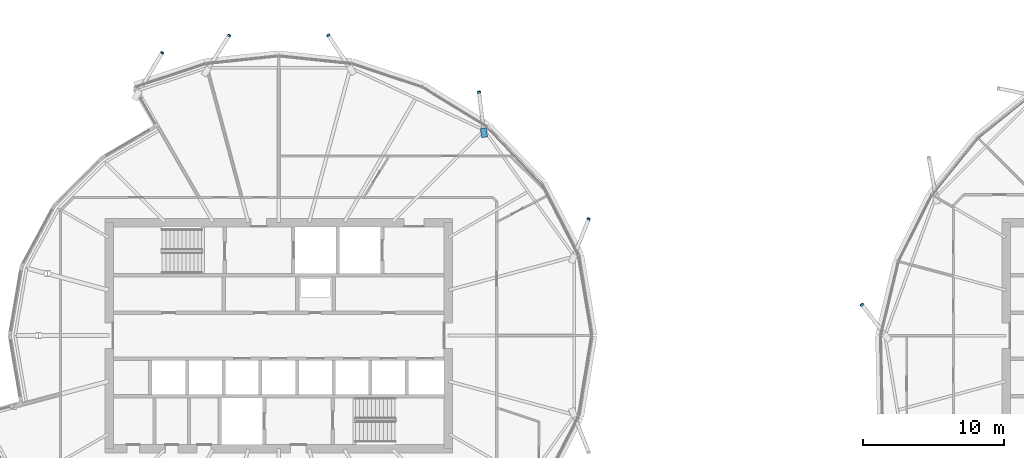
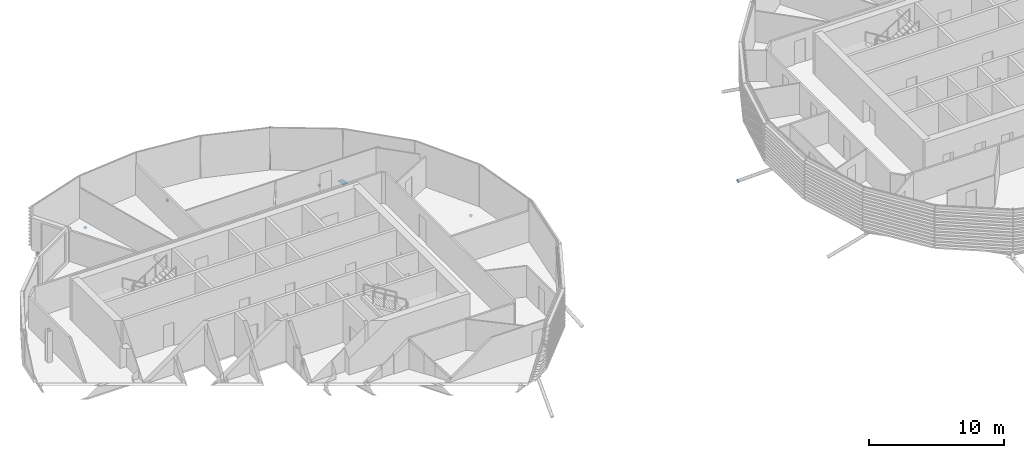
# One storey, part 27 of 37: 7 discrete accessories.
"""IFC4 building model written with IfcOpenShell, lengths in metres."""

from ifc_helpers import new_model, si_unit, direction, frame, origin, origin_2d, place, context, subcontext, project, spatial, polyline, rectangle, circle, outline, extrude, material, material_profile, profile_set, type_object, element, save


model = new_model("IFC4")

# Units and contexts
model_context = context("Model", 3, precision=1e-05, world=origin(), true_north=direction((0.0, 1.0)))
body_context = subcontext(model_context, "Body", "Model", "MODEL_VIEW")
ifc_project = project(units=[si_unit("LENGTHUNIT", "METRE"), si_unit("AREAUNIT", "SQUARE_METRE"), si_unit("VOLUMEUNIT", "CUBIC_METRE"), si_unit("PLANEANGLEUNIT", "RADIAN"), si_unit("MASSUNIT", "GRAM", prefix="KILO")], contexts=[model_context])

# Site, building, storey
site_placement = place(None, origin())
site = spatial("IfcSite", under=ifc_project, at=site_placement, CompositionType="ELEMENT")
building_placement = place(site_placement, origin())
building = spatial("IfcBuilding", under=site, at=building_placement, Name="Rimbun Link Towers", CompositionType="ELEMENT")
storey_placement = place(building_placement, frame((0.0, 0.0, 177.89990234375)))
storey = spatial("IfcBuildingStorey", under=building, at=storey_placement, Name="L43", CompositionType="ELEMENT", Elevation=177.89990234375)

# Discrete accessories
ifc_material_1 = material(Name="Steel S355J2H", Category="steel")
ifc_material_profile_1 = material_profile(ifc_material_1, circle(Radius=0.1240234375, at=origin_2d()), Name="PL D248")
ifc_profile_set_1 = profile_set([ifc_material_profile_1], Name="Steel S355J2H")
discrete_accessory_type_1 = type_object("IfcDiscreteAccessoryType", Name="Link foot sealing plate D248X20", PredefinedType="BRACKET", material=ifc_profile_set_1)
for number, where, z_axis, x_axis, name in (
    (1, (-9.806884765625, 8.253662109375, -2.6201171875), (0.304380509908, 0.779214105364, -0.547884917834), (-0.93145734948, 0.36385052714, 0.0), "Link foot sealing plate T1 L43 01"),
    (2, (-17.574462890625, 17.240234375, -2.60986328125), (-0.109707161199, 0.828898551284, -0.548535805997), (-0.99135476599, -0.131208719028, 0.0), "Link foot sealing plate T1 L43 03"),
    (3, (-28.23291015625, 21.255615234375, -2.650390625), (-0.465740835726, 0.710867591371, -0.527022524637), (-0.83646112958, -0.548026257311, 0.0), "Link foot sealing plate T1 L43 05"),
    (4, (-35.262451171875, 21.25048828125, -2.653076171875), (0.452060681249, 0.720853518748, -0.525367818749), (-0.847190627169, 0.531289037377, 0.0), "Link foot sealing plate T1 L43 07"),
    (5, (-40.00244140625, 20.02392578125, -2.56884765625), (0.451790995509, 0.76926574911, -0.451790995509), (-0.862285860494, 0.506421854576, 0.0), "Link foot sealing plate T1 L43 08"),
):
    element("IfcDiscreteAccessory", number, at=place(storey_placement, frame(where, z_axis=z_axis, x_axis=x_axis)), inside=storey, type_object=discrete_accessory_type_1, Name=name, PredefinedType="BRACKET", context=body_context, shape_type="SweptSolid", body=[
        extrude(circle(Radius=0.1240234375, at=origin_2d()), origin(), (0.0, 0.0, 1.0), 0.02001953125),
    ])
discrete_accessory_1_placement = place(storey_placement, frame((9.5390625, 2.1875, -2.56787109375), z_axis=(-0.507956645741, 0.656626883519, -0.557513391667), x_axis=(-0.790956681595, -0.611872149913, 0.0)))
element("IfcDiscreteAccessory", 6, at=discrete_accessory_1_placement, inside=storey, type_object=discrete_accessory_type_1, Name="Link foot sealing plate T2 L43 09", PredefinedType="BRACKET", context=body_context, shape_type="SweptSolid", body=[
    extrude(circle(Radius=0.1240234375, at=origin_2d()), origin(), (0.0, 0.0, 1.0), 0.019775390625),
])
ifc_material_2 = material(Name="Steel S355J2H", Category="steel")
ifc_material_profile_2 = material_profile(ifc_material_2, rectangle(XDim=0.43310546875, YDim=0.43310546875, at=origin_2d()), Name="PL 433x433")
ifc_profile_set_2 = profile_set([ifc_material_profile_2], Name="Steel S355J2H")
discrete_accessory_type_2 = type_object("IfcDiscreteAccessoryType", Name="Link head end plate 433X20", PredefinedType="BRACKET", material=ifc_profile_set_2)
discrete_accessory_2_placement = place(storey_placement, frame((0.0, 0.0, -0.702880859375)))
element("IfcDiscreteAccessory", 7, at=discrete_accessory_2_placement, inside=storey, type_object=discrete_accessory_type_2, Name="Link head end plate T1 L43 03", PredefinedType="BRACKET", context=body_context, shape_type="SweptSolid", body=[
    extrude(outline(polyline([(-16.962890625, 14.07421875), (-17.043701171875, 14.724853515625), (-17.473388671875, 14.67138671875), (-17.392578125, 14.02099609375), (-16.962890625, 14.07421875)])), origin(), (0.0, 0.0, 1.0), 0.019775390625),
])

save(model, "model.ifc")
